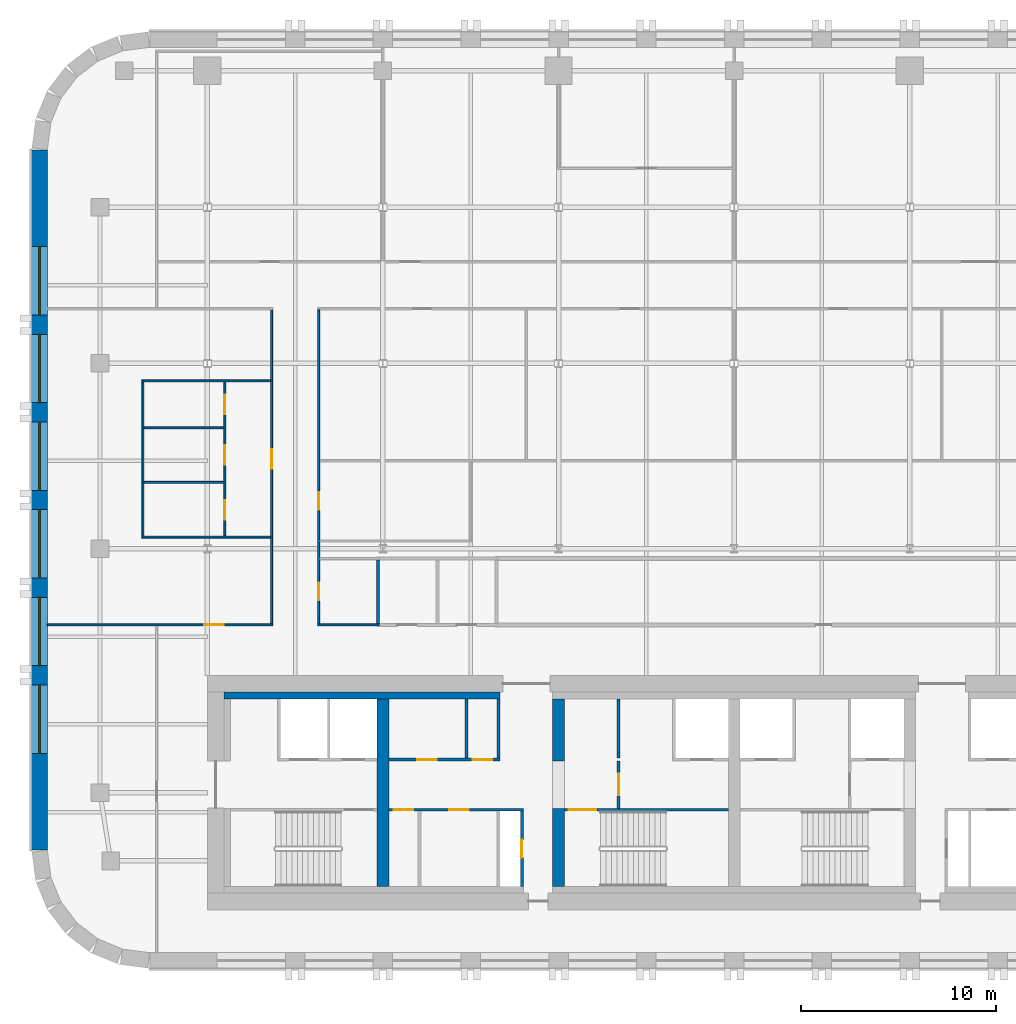
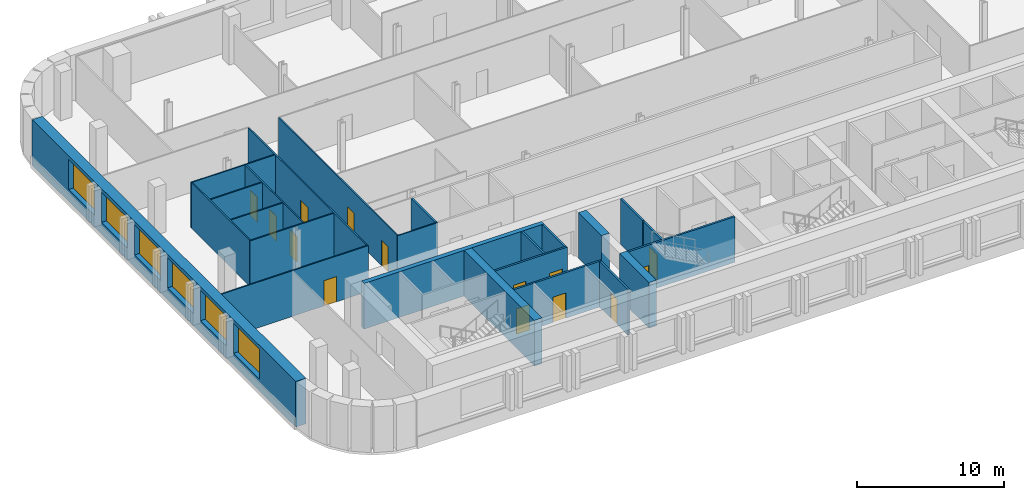
# One storey, part 3 of 9: 24 walls, 14 doors, 6 windows, 20 openings.
"""IFC4 building model written with IfcOpenShell, lengths in metres."""

from ifc_helpers import new_model, si_unit, direction, frame, frame_2d, origin, place, context, subcontext, project, spatial, rectangle, extrude, material, layer, layer_set, type_object, element, fill, save


model = new_model("IFC4")

# Units and contexts
model_context = context("Model", 3, precision=1e-05, world=origin(), true_north=direction((0.0, 1.0)))
body_context = subcontext(model_context, "Body", "Model", "MODEL_VIEW")
ifc_project = project(units=[si_unit("LENGTHUNIT", "METRE"), si_unit("AREAUNIT", "SQUARE_METRE"), si_unit("VOLUMEUNIT", "CUBIC_METRE"), si_unit("PLANEANGLEUNIT", "RADIAN"), si_unit("MASSUNIT", "GRAM", prefix="KILO")], contexts=[model_context])

# Site, building, storey
site_placement = place(None, origin())
site = spatial("IfcSite", under=ifc_project, at=site_placement, CompositionType="ELEMENT")
building_placement = place(site_placement, origin())
building = spatial("IfcBuilding", under=site, at=building_placement, Name="Zellij Exchange Tower", CompositionType="ELEMENT")
storey_placement = place(building_placement, frame((0.0, 0.0, 184.5)))
storey = spatial("IfcBuildingStorey", under=building, at=storey_placement, Name="L42", CompositionType="ELEMENT", Elevation=184.5)

# Walls
ifc_material_1 = material(Name="Concrete C60/75", Category="concrete")
ifc_layer_1 = layer(ifc_material_1, 0.60009765625)
ifc_layer_set_1 = layer_set([ifc_layer_1], Name="Concrete C60/75")
wall_type_1 = type_object("IfcWallType", Name="CORE-CW 600 C60/75", PredefinedType="SHEAR", material=ifc_layer_set_1)
wall_1_placement = place(storey_placement, frame((-18.0, -12.800048828125, 0.0), z_axis=(0.0, 0.0, 1.0), x_axis=(0.0, 1.0, 0.0)))
element("IfcWall", 1, at=wall_1_placement, inside=storey, type_object=wall_type_1, Name="Core cross wall x -18 L42", PredefinedType="SHEAR", context=body_context, shape_type="SweptSolid", body=[
    extrude(rectangle(XDim=9.60009765625, YDim=0.60009765625, at=frame_2d((4.800048828125, 0.0))), origin(), (0.0, 0.0, 1.0), 3.800048828125),
])
wall_2_placement = place(storey_placement, frame((-9.0, -12.800048828125, 0.0), z_axis=(0.0, 0.0, 1.0), x_axis=(0.0, 1.0, 0.0)))
element("IfcWall", 2, at=wall_2_placement, inside=storey, type_object=wall_type_1, Name="Core cross wall pier x -9 a L42", PredefinedType="SHEAR", context=body_context, shape_type="SweptSolid", body=[
    extrude(rectangle(XDim=4.0, YDim=0.60009765625, at=frame_2d((2.0, 0.0))), origin(), (0.0, 0.0, 1.0), 3.800048828125),
])
wall_3_placement = place(storey_placement, frame((-9.0, -6.375, 0.0), z_axis=(0.0, 0.0, 1.0), x_axis=(0.0, 1.0, 0.0)))
element("IfcWall", 3, at=wall_3_placement, inside=storey, type_object=wall_type_1, Name="Core cross wall pier x -9 b L42", PredefinedType="SHEAR", context=body_context, shape_type="SweptSolid", body=[
    extrude(rectangle(XDim=3.175048828125, YDim=0.60009765625, at=frame_2d((1.58740234375, 0.0))), origin(), (0.0, 0.0, 1.0), 3.800048828125),
])
ifc_material_2 = material(Name="Concrete C30/37", Category="concrete")
ifc_layer_2 = layer(ifc_material_2, 0.35009765625)
ifc_layer_set_2 = layer_set([ifc_layer_2], Name="Concrete C30/37")
wall_type_2 = type_object("IfcWallType", Name="CORE-LW 350 C30/37", PredefinedType="SHEAR", material=ifc_layer_set_2)
wall_4_placement = place(storey_placement, frame((-26.14990234375, -3.02490234375, 0.0), z_axis=(0.0, 0.0, 1.0), x_axis=(1.0, 0.0, 0.0)))
element("IfcWall", 4, at=wall_4_placement, inside=storey, type_object=wall_type_2, Name="Core wall lining front.0 L42", PredefinedType="SHEAR", context=body_context, shape_type="SweptSolid", body=[
    extrude(rectangle(XDim=14.14990234375, YDim=0.35009765625, at=frame_2d((7.074951171875, 0.0))), origin(), (0.0, 0.0, 1.0), 3.800048828125),
])

# Wall, opening, door
ifc_material_3 = material(Name="Gypsum shaft wall system")
ifc_layer_3 = layer(ifc_material_3, 0.14990234375)
ifc_layer_set_3 = layer_set([ifc_layer_3], Name="Gypsum shaft wall system")
wall_type_3 = type_object("IfcWallType", Name="CORE-PW 150 Firefighting lobby wall", PredefinedType="PARTITIONING", material=ifc_layer_set_3)
wall_5_placement = place(storey_placement, frame((-5.925048828125, -8.800048828125, 0.0), z_axis=(0.0, 0.0, 1.0), x_axis=(0.0, 1.0, 0.0)))
wall_5 = element("IfcWall", 5, at=wall_5_placement, inside=storey, type_object=wall_type_3, Name="Firefighting lobby wall L42", PredefinedType="PARTITIONING", context=body_context, shape_type="SweptSolid", body=[
    extrude(rectangle(XDim=2.425048828125, YDim=0.14990234375, at=frame_2d((1.21240234375, 0.0))), origin(), (0.0, 0.0, 1.0), 3.800048828125),
])
opening_1_placement = place(wall_5_placement, frame((0.662109375, 0.0, 0.0)))
opening_1 = element("IfcOpeningElement", 6, at=opening_1_placement, cuts=wall_5, Name="Opening CA-23.13", PredefinedType="OPENING", context=body_context, shape_type="SweptSolid", body=[
    extrude(rectangle(XDim=1.10009765625, YDim=2.10009765625, at=frame_2d((0.550048828125, 1.050048828125))), frame((0.0, 0.0869140625, 0.0), z_axis=(0.0, -1.0, 0.0), x_axis=(1.0, 0.0, 0.0)), (0.0, 0.0, 1.0), 0.173828125),
])
ifc_material_4 = material(Name="Hollow metal fire door")
door_type_1 = type_object("IfcDoorType", Name="CORE-D F Firefighting lobby door 1100x2100 1 HR", OperationType="NOTDEFINED", PredefinedType="DOOR", material=ifc_material_4)
door_1_placement = place(opening_1_placement, origin())
door_1 = element("IfcDoor", 7, at=door_1_placement, inside=storey, type_object=door_type_1, Name="Firefighting lobby door CA-23.13", OperationType="SINGLE_SWING_LEFT", OverallHeight=2.10009765625, OverallWidth=1.10009765625, PredefinedType="DOOR", context=body_context, shape_type="SweptSolid", body=[
    extrude(rectangle(XDim=1.10009765625, YDim=2.10009765625, at=frame_2d((0.550048828125, 1.050048828125))), frame((0.0, 0.02490234375, 0.0), z_axis=(0.0, -1.0, 0.0), x_axis=(1.0, 0.0, 0.0)), (0.0, 0.0, 1.0), 0.050048828125),
])
fill(opening_1, door_1)

# Walls
ifc_material_5 = material(Name="Gypsum board partition")
ifc_layer_4 = layer(ifc_material_5, 0.14990234375)
ifc_layer_set_4 = layer_set([ifc_layer_4], Name="Gypsum board partition")
wall_type_4 = type_object("IfcWallType", Name="CORE-PW 150 Lift lobby wall", PredefinedType="PARTITIONING", material=ifc_layer_set_4)
for number, where, z_axis, x_axis, name in (
    (8, (-12.074951171875, -6.22509765625, 0.0), (0.0, 0.0, 1.0), (0.0, 1.0, 0.0), "Lift lobby wall L42"),
    (9, (-13.72509765625, -6.22509765625, 0.0), (0.0, 0.0, 1.0), (0.0, 1.0, 0.0), "Lift lobby wall L42"),
    (10, (-5.925048828125, -6.22509765625, 0.0), (0.0, 0.0, 1.0), (0.0, 1.0, 0.0), "Lift lobby wall L42"),
):
    element("IfcWall", number, at=place(storey_placement, frame(where, z_axis=z_axis, x_axis=x_axis)), inside=storey, type_object=wall_type_4, Name=name, PredefinedType="PARTITIONING", context=body_context, shape_type="SweptSolid", body=[
        extrude(rectangle(XDim=3.025146484375, YDim=0.14990234375, at=frame_2d((1.5126953125, 0.0))), origin(), (0.0, 0.0, 1.0), 3.800048828125),
    ])

# Wall, opening, door
wall_6_placement = place(storey_placement, frame((-10.875, -12.800048828125, 0.0), z_axis=(0.0, 0.0, 1.0), x_axis=(0.0, 1.0, 0.0)))
wall_6 = element("IfcWall", 11, at=wall_6_placement, inside=storey, type_object=wall_type_4, Name="Lift lobby wall L42", PredefinedType="PARTITIONING", context=body_context, shape_type="SweptSolid", body=[
    extrude(rectangle(XDim=3.85009765625, YDim=0.14990234375, at=frame_2d((1.925048828125, 0.0))), origin(), (0.0, 0.0, 1.0), 3.800048828125),
])
opening_2_placement = place(wall_6_placement, frame((1.47509765625, 0.0, 0.0)))
opening_2 = element("IfcOpeningElement", 12, at=opening_2_placement, cuts=wall_6, Name="Opening CA-23.09", PredefinedType="OPENING", context=body_context, shape_type="SweptSolid", body=[
    extrude(rectangle(XDim=0.89990234375, YDim=2.10009765625, at=frame_2d((0.449951171875, 1.050048828125))), frame((0.0, 0.0869140625, 0.0), z_axis=(0.0, -1.0, 0.0), x_axis=(1.0, 0.0, 0.0)), (0.0, 0.0, 1.0), 0.173828125),
])
door_type_2 = type_object("IfcDoorType", Name="CORE-D RD Riser door 900x2100 1.5 HR", OperationType="NOTDEFINED", PredefinedType="DOOR", material=ifc_material_4)
door_2_placement = place(opening_2_placement, origin())
door_2 = element("IfcDoor", 13, at=door_2_placement, inside=storey, type_object=door_type_2, Name="Riser door CA-23.09", OperationType="SINGLE_SWING_RIGHT", OverallHeight=2.10009765625, OverallWidth=0.89990234375, PredefinedType="DOOR", context=body_context, shape_type="SweptSolid", body=[
    extrude(rectangle(XDim=0.89990234375, YDim=2.10009765625, at=frame_2d((0.449951171875, 1.050048828125))), frame((0.0, 0.02490234375, 0.0), z_axis=(0.0, -1.0, 0.0), x_axis=(1.0, 0.0, 0.0)), (0.0, 0.0, 1.0), 0.050048828125),
])
fill(opening_2, door_2)

# Wall, openings, doors
wall_7_placement = place(storey_placement, frame((-17.699951171875, -6.300048828125, 0.0), z_axis=(0.0, 0.0, 1.0), x_axis=(1.0, 0.0, 0.0)))
wall_7 = element("IfcWall", 14, at=wall_7_placement, inside=storey, type_object=wall_type_4, Name="Lift lobby wall L42", PredefinedType="PARTITIONING", context=body_context, shape_type="SweptSolid", body=[
    extrude(rectangle(XDim=5.699951171875, YDim=0.14990234375, at=frame_2d((2.85009765625, 0.0))), origin(), (0.0, 0.0, 1.0), 3.800048828125),
])
opening_3_placement = place(wall_7_placement, frame((1.449951171875, 0.0, 0.0)))
opening_3 = element("IfcOpeningElement", 15, at=opening_3_placement, cuts=wall_7, Name="Opening CA-23.06", PredefinedType="OPENING", context=body_context, shape_type="SweptSolid", body=[
    extrude(rectangle(XDim=1.0, YDim=2.10009765625, at=frame_2d((0.5, 1.050048828125))), frame((0.0, 0.0869140625, 0.0), z_axis=(0.0, -1.0, 0.0), x_axis=(1.0, 0.0, 0.0)), (0.0, 0.0, 1.0), 0.173828125),
])
opening_4_placement = place(wall_7_placement, frame((4.300048828125, 0.0, 0.0)))
opening_4 = element("IfcOpeningElement", 16, at=opening_4_placement, cuts=wall_7, Name="Opening CA-23.08", PredefinedType="OPENING", context=body_context, shape_type="SweptSolid", body=[
    extrude(rectangle(XDim=1.0, YDim=2.10009765625, at=frame_2d((0.5, 1.050048828125))), frame((0.0, 0.0869140625, 0.0), z_axis=(0.0, -1.0, 0.0), x_axis=(1.0, 0.0, 0.0)), (0.0, 0.0, 1.0), 0.173828125),
])
door_type_3 = type_object("IfcDoorType", Name="CORE-D CD Core room door 1000x2100 1 HR", OperationType="NOTDEFINED", PredefinedType="DOOR", material=ifc_material_4)
door_3_placement = place(opening_3_placement, origin())
door_3 = element("IfcDoor", 17, at=door_3_placement, inside=storey, type_object=door_type_3, Name="Core room door CA-23.06", OperationType="SINGLE_SWING_LEFT", OverallHeight=2.10009765625, OverallWidth=1.0, PredefinedType="DOOR", context=body_context, shape_type="SweptSolid", body=[
    extrude(rectangle(XDim=1.0, YDim=2.10009765625, at=frame_2d((0.5, 1.050048828125))), frame((0.0, 0.02490234375, 0.0), z_axis=(0.0, -1.0, 0.0), x_axis=(1.0, 0.0, 0.0)), (0.0, 0.0, 1.0), 0.050048828125),
])
fill(opening_3, door_3)
door_4_placement = place(opening_4_placement, origin())
door_4 = element("IfcDoor", 18, at=door_4_placement, inside=storey, type_object=door_type_3, Name="Core room door CA-23.08", OperationType="SINGLE_SWING_RIGHT", OverallHeight=2.10009765625, OverallWidth=1.0, PredefinedType="DOOR", context=body_context, shape_type="SweptSolid", body=[
    extrude(rectangle(XDim=1.0, YDim=2.10009765625, at=frame_2d((0.5, 1.050048828125))), frame((0.0, 0.02490234375, 0.0), z_axis=(0.0, -1.0, 0.0), x_axis=(1.0, 0.0, 0.0)), (0.0, 0.0, 1.0), 0.050048828125),
])
fill(opening_4, door_4)

wall_8_placement = place(storey_placement, frame((-17.699951171875, -8.875, 0.0), z_axis=(0.0, 0.0, 1.0), x_axis=(1.0, 0.0, 0.0)))
wall_8 = element("IfcWall", 19, at=wall_8_placement, inside=storey, type_object=wall_type_4, Name="Lift lobby wall L42", PredefinedType="PARTITIONING", context=body_context, shape_type="SweptSolid", body=[
    extrude(rectangle(XDim=6.89990234375, YDim=0.14990234375, at=frame_2d((3.449951171875, 0.0))), origin(), (0.0, 0.0, 1.0), 3.800048828125),
])
opening_5_placement = place(wall_8_placement, frame((0.25, 0.0, 0.0)))
opening_5 = element("IfcOpeningElement", 20, at=opening_5_placement, cuts=wall_8, Name="Opening CA-23.05", PredefinedType="OPENING", context=body_context, shape_type="SweptSolid", body=[
    extrude(rectangle(XDim=1.0, YDim=2.10009765625, at=frame_2d((0.5, 1.050048828125))), frame((0.0, 0.0869140625, 0.0), z_axis=(0.0, -1.0, 0.0), x_axis=(1.0, 0.0, 0.0)), (0.0, 0.0, 1.0), 0.173828125),
])
opening_6_placement = place(wall_8_placement, frame((3.10009765625, 0.0, 0.0)))
opening_6 = element("IfcOpeningElement", 21, at=opening_6_placement, cuts=wall_8, Name="Opening CA-23.07", PredefinedType="OPENING", context=body_context, shape_type="SweptSolid", body=[
    extrude(rectangle(XDim=1.0, YDim=2.10009765625, at=frame_2d((0.5, 1.050048828125))), frame((0.0, 0.0869140625, 0.0), z_axis=(0.0, -1.0, 0.0), x_axis=(1.0, 0.0, 0.0)), (0.0, 0.0, 1.0), 0.173828125),
])
door_5_placement = place(opening_5_placement, origin())
door_5 = element("IfcDoor", 22, at=door_5_placement, inside=storey, type_object=door_type_3, Name="Core room door CA-23.05", OperationType="SINGLE_SWING_RIGHT", OverallHeight=2.10009765625, OverallWidth=1.0, PredefinedType="DOOR", context=body_context, shape_type="SweptSolid", body=[
    extrude(rectangle(XDim=1.0, YDim=2.10009765625, at=frame_2d((0.5, 1.050048828125))), frame((0.0, 0.02490234375, 0.0), z_axis=(0.0, -1.0, 0.0), x_axis=(1.0, 0.0, 0.0)), (0.0, 0.0, 1.0), 0.050048828125),
])
fill(opening_5, door_5)
door_6_placement = place(opening_6_placement, origin())
door_6 = element("IfcDoor", 23, at=door_6_placement, inside=storey, type_object=door_type_3, Name="Core room door CA-23.07", OperationType="SINGLE_SWING_LEFT", OverallHeight=2.10009765625, OverallWidth=1.0, PredefinedType="DOOR", context=body_context, shape_type="SweptSolid", body=[
    extrude(rectangle(XDim=1.0, YDim=2.10009765625, at=frame_2d((0.5, 1.050048828125))), frame((0.0, 0.02490234375, 0.0), z_axis=(0.0, -1.0, 0.0), x_axis=(1.0, 0.0, 0.0)), (0.0, 0.0, 1.0), 0.050048828125),
])
fill(opening_6, door_6)

# Wall, opening, door
ifc_layer_5 = layer(ifc_material_1, 0.14990234375)
ifc_layer_set_5 = layer_set([ifc_layer_5], Name="Concrete C60/75")
wall_type_5 = type_object("IfcWallType", Name="CORE-SWS 150 C60/75", PredefinedType="SHEAR", material=ifc_layer_set_5)
wall_9_placement = place(storey_placement, frame((-8.699951171875, -8.875, 0.0), z_axis=(0.0, 0.0, 1.0), x_axis=(1.0, 0.0, 0.0)))
wall_9 = element("IfcWall", 24, at=wall_9_placement, inside=storey, type_object=wall_type_5, Name="Stair enclosure wall L42", PredefinedType="SHEAR", context=body_context, shape_type="SweptSolid", body=[
    extrude(rectangle(XDim=8.39990234375, YDim=0.14990234375, at=frame_2d((4.199951171875, 0.0))), origin(), (0.0, 0.0, 1.0), 3.800048828125),
])
opening_7_placement = place(wall_9_placement, frame((0.22509765625, 0.0, 0.0)))
opening_7 = element("IfcOpeningElement", 25, at=opening_7_placement, cuts=wall_9, Name="Opening CA-23.12", PredefinedType="OPENING", context=body_context, shape_type="SweptSolid", body=[
    extrude(rectangle(XDim=1.39990234375, YDim=2.10009765625, at=frame_2d((0.699951171875, 1.050048828125))), frame((0.0, 0.0869140625, 0.0), z_axis=(0.0, -1.0, 0.0), x_axis=(1.0, 0.0, 0.0)), (0.0, 0.0, 1.0), 0.173828125),
])
door_type_4 = type_object("IfcDoorType", Name="CORE-D SD Stair door 1400x2100 1.5 HR", OperationType="NOTDEFINED", PredefinedType="DOOR", material=ifc_material_4)
door_7_placement = place(opening_7_placement, origin())
door_7 = element("IfcDoor", 26, at=door_7_placement, inside=storey, type_object=door_type_4, Name="Stair door CA-23.12", OperationType="DOUBLE_DOOR_SINGLE_SWING", OverallHeight=2.10009765625, OverallWidth=1.39990234375, PredefinedType="DOOR", context=body_context, shape_type="SweptSolid", body=[
    extrude(rectangle(XDim=1.39990234375, YDim=2.10009765625, at=frame_2d((0.699951171875, 1.050048828125))), frame((0.0, 0.02490234375, 0.0), z_axis=(0.0, -1.0, 0.0), x_axis=(1.0, 0.0, 0.0)), (0.0, 0.0, 1.0), 0.050048828125),
])
fill(opening_7, door_7)

# Wall, openings, windows
ifc_material_6 = material(Name="Precast concrete C40/50", Category="concrete")
ifc_layer_6 = layer(ifc_material_6, 0.800048828125)
ifc_layer_set_6 = layer_set([ifc_layer_6], Name="Precast concrete C40/50")
wall_type_6 = type_object("IfcWallType", Name="ENV-EW1 Precast stone-piered wall 800", PredefinedType="SOLIDWALL", material=ifc_layer_set_6)
wall_10_placement = place(storey_placement, frame((-35.60009765625, 24.947509765625, 0.0), z_axis=(0.0, 0.0, 1.0), x_axis=(0.0, -1.0, 0.0)))
wall_10 = element("IfcWall", 27, at=wall_10_placement, inside=storey, type_object=wall_type_6, Name="fac.L42.21", PredefinedType="SOLIDWALL", context=body_context, shape_type="SweptSolid", body=[
    extrude(rectangle(XDim=35.89501953125, YDim=0.800048828125, at=frame_2d((17.947509765625, 0.0))), origin(), (0.0, 0.0, 1.0), 3.800048828125),
])
opening_8_placement = place(wall_10_placement, frame((4.9638671875, 0.0, 1.0)))
opening_8 = element("IfcOpeningElement", 28, at=opening_8_placement, cuts=wall_10, Name="Opening FZ3.31", PredefinedType="OPENING", context=body_context, shape_type="SweptSolid", body=[
    extrude(rectangle(XDim=3.5, YDim=2.5, at=frame_2d((1.75, 1.25))), frame((0.0, 0.412109375, 0.0), z_axis=(0.0, -1.0, 0.0), x_axis=(1.0, 0.0, 0.0)), (0.0, 0.0, 1.0), 0.823974609375),
])
opening_9_placement = place(wall_10_placement, frame((9.45751953125, 0.0, 1.0)))
opening_9 = element("IfcOpeningElement", 29, at=opening_9_placement, cuts=wall_10, Name="Opening FZ3.32", PredefinedType="OPENING", context=body_context, shape_type="SweptSolid", body=[
    extrude(rectangle(XDim=3.5, YDim=2.5, at=frame_2d((1.75, 1.25))), frame((0.0, 0.412109375, 0.0), z_axis=(0.0, -1.0, 0.0), x_axis=(1.0, 0.0, 0.0)), (0.0, 0.0, 1.0), 0.823974609375),
])
opening_10_placement = place(wall_10_placement, frame((13.950927734375, 0.0, 1.0)))
opening_10 = element("IfcOpeningElement", 30, at=opening_10_placement, cuts=wall_10, Name="Opening FZ3.33", PredefinedType="OPENING", context=body_context, shape_type="SweptSolid", body=[
    extrude(rectangle(XDim=3.5, YDim=2.5, at=frame_2d((1.75, 1.25))), frame((0.0, 0.412109375, 0.0), z_axis=(0.0, -1.0, 0.0), x_axis=(1.0, 0.0, 0.0)), (0.0, 0.0, 1.0), 0.823974609375),
])
opening_11_placement = place(wall_10_placement, frame((18.4443359375, 0.0, 1.0)))
opening_11 = element("IfcOpeningElement", 31, at=opening_11_placement, cuts=wall_10, Name="Opening FZ3.34", PredefinedType="OPENING", context=body_context, shape_type="SweptSolid", body=[
    extrude(rectangle(XDim=3.5, YDim=2.5, at=frame_2d((1.75, 1.25))), frame((0.0, 0.412109375, 0.0), z_axis=(0.0, -1.0, 0.0), x_axis=(1.0, 0.0, 0.0)), (0.0, 0.0, 1.0), 0.823974609375),
])
opening_12_placement = place(wall_10_placement, frame((22.937744140625, 0.0, 1.0)))
opening_12 = element("IfcOpeningElement", 32, at=opening_12_placement, cuts=wall_10, Name="Opening FZ3.35", PredefinedType="OPENING", context=body_context, shape_type="SweptSolid", body=[
    extrude(rectangle(XDim=3.5, YDim=2.5, at=frame_2d((1.75, 1.25))), frame((0.0, 0.412109375, 0.0), z_axis=(0.0, -1.0, 0.0), x_axis=(1.0, 0.0, 0.0)), (0.0, 0.0, 1.0), 0.823974609375),
])
opening_13_placement = place(wall_10_placement, frame((27.43115234375, 0.0, 1.0)))
opening_13 = element("IfcOpeningElement", 33, at=opening_13_placement, cuts=wall_10, Name="Opening FZ3.36", PredefinedType="OPENING", context=body_context, shape_type="SweptSolid", body=[
    extrude(rectangle(XDim=3.5, YDim=2.5, at=frame_2d((1.75, 1.25))), frame((0.0, 0.412109375, 0.0), z_axis=(0.0, -1.0, 0.0), x_axis=(1.0, 0.0, 0.0)), (0.0, 0.0, 1.0), 0.823974609375),
])
ifc_material_7 = material(Name="Aluminium frame with insulating glass", Category="aluminium")
window_type = type_object("IfcWindowType", Name="ENV-W1 Window 3500x2500", PartitioningType="SINGLE_PANEL", PredefinedType="WINDOW", material=ifc_material_7)
window_1_placement = place(opening_8_placement, origin())
window_1 = element("IfcWindow", 34, at=window_1_placement, inside=storey, type_object=window_type, Name="Window FZ3.31", OverallHeight=2.5, OverallWidth=3.5, PartitioningType="SINGLE_PANEL", PredefinedType="WINDOW", context=body_context, shape_type="SweptSolid", body=[
    extrude(rectangle(XDim=3.5, YDim=2.5, at=frame_2d((1.75, 1.25))), frame((0.0, 0.030029296875, 0.0), z_axis=(0.0, -1.0, 0.0), x_axis=(1.0, 0.0, 0.0)), (0.0, 0.0, 1.0), 0.06005859375),
])
fill(opening_8, window_1)
window_2_placement = place(opening_9_placement, origin())
window_2 = element("IfcWindow", 35, at=window_2_placement, inside=storey, type_object=window_type, Name="Window FZ3.32", OverallHeight=2.5, OverallWidth=3.5, PartitioningType="SINGLE_PANEL", PredefinedType="WINDOW", context=body_context, shape_type="SweptSolid", body=[
    extrude(rectangle(XDim=3.5, YDim=2.5, at=frame_2d((1.75, 1.25))), frame((0.0, 0.030029296875, 0.0), z_axis=(0.0, -1.0, 0.0), x_axis=(1.0, 0.0, 0.0)), (0.0, 0.0, 1.0), 0.06005859375),
])
fill(opening_9, window_2)
window_3_placement = place(opening_10_placement, origin())
window_3 = element("IfcWindow", 36, at=window_3_placement, inside=storey, type_object=window_type, Name="Window FZ3.33", OverallHeight=2.5, OverallWidth=3.5, PartitioningType="SINGLE_PANEL", PredefinedType="WINDOW", context=body_context, shape_type="SweptSolid", body=[
    extrude(rectangle(XDim=3.5, YDim=2.5, at=frame_2d((1.75, 1.25))), frame((0.0, 0.030029296875, 0.0), z_axis=(0.0, -1.0, 0.0), x_axis=(1.0, 0.0, 0.0)), (0.0, 0.0, 1.0), 0.06005859375),
])
fill(opening_10, window_3)
window_4_placement = place(opening_11_placement, origin())
window_4 = element("IfcWindow", 37, at=window_4_placement, inside=storey, type_object=window_type, Name="Window FZ3.34", OverallHeight=2.5, OverallWidth=3.5, PartitioningType="SINGLE_PANEL", PredefinedType="WINDOW", context=body_context, shape_type="SweptSolid", body=[
    extrude(rectangle(XDim=3.5, YDim=2.5, at=frame_2d((1.75, 1.25))), frame((0.0, 0.030029296875, 0.0), z_axis=(0.0, -1.0, 0.0), x_axis=(1.0, 0.0, 0.0)), (0.0, 0.0, 1.0), 0.06005859375),
])
fill(opening_11, window_4)
window_5_placement = place(opening_12_placement, origin())
window_5 = element("IfcWindow", 38, at=window_5_placement, inside=storey, type_object=window_type, Name="Window FZ3.35", OverallHeight=2.5, OverallWidth=3.5, PartitioningType="SINGLE_PANEL", PredefinedType="WINDOW", context=body_context, shape_type="SweptSolid", body=[
    extrude(rectangle(XDim=3.5, YDim=2.5, at=frame_2d((1.75, 1.25))), frame((0.0, 0.030029296875, 0.0), z_axis=(0.0, -1.0, 0.0), x_axis=(1.0, 0.0, 0.0)), (0.0, 0.0, 1.0), 0.06005859375),
])
fill(opening_12, window_5)
window_6_placement = place(opening_13_placement, origin())
window_6 = element("IfcWindow", 39, at=window_6_placement, inside=storey, type_object=window_type, Name="Window FZ3.36", OverallHeight=2.5, OverallWidth=3.5, PartitioningType="SINGLE_PANEL", PredefinedType="WINDOW", context=body_context, shape_type="SweptSolid", body=[
    extrude(rectangle(XDim=3.5, YDim=2.5, at=frame_2d((1.75, 1.25))), frame((0.0, 0.030029296875, 0.0), z_axis=(0.0, -1.0, 0.0), x_axis=(1.0, 0.0, 0.0)), (0.0, 0.0, 1.0), 0.06005859375),
])
fill(opening_13, window_6)

# Wall, opening, door
ifc_material_8 = material(Name="Gypsum board partition on steel studs", Category="steel")
ifc_layer_7 = layer(ifc_material_8, 0.10009765625)
ifc_layer_set_7 = layer_set([ifc_layer_7], Name="Gypsum board partition on steel studs")
wall_type_7 = type_object("IfcWallType", Name="FIT-PARTITION-100", PredefinedType="PARTITIONING", material=ifc_layer_set_7)
wall_11_placement = place(storey_placement, frame((-35.199951171875, 0.60009765625, 0.0), z_axis=(0.0, 0.0, 1.0), x_axis=(1.0, 0.0, 0.0)))
wall_11 = element("IfcWall", 40, at=wall_11_placement, inside=storey, type_object=wall_type_7, Name="FIT-PARTITION-100 003", PredefinedType="PARTITIONING", context=body_context, shape_type="SweptSolid", body=[
    extrude(rectangle(XDim=11.550048828125, YDim=0.10009765625, at=frame_2d((5.77490234375, 0.0))), origin(), (0.0, 0.0, 1.0), 3.800048828125),
])
opening_14_placement = place(wall_11_placement, frame((8.050048828125, 0.0, 0.0)))
opening_14 = element("IfcOpeningElement", 41, at=opening_14_placement, cuts=wall_11, Name="Opening O3B.03", PredefinedType="OPENING", context=body_context, shape_type="SweptSolid", body=[
    extrude(rectangle(XDim=1.0, YDim=2.10009765625, at=frame_2d((0.5, 1.050048828125))), frame((0.0, 0.06201171875, 0.0), z_axis=(0.0, -1.0, 0.0), x_axis=(1.0, 0.0, 0.0)), (0.0, 0.0, 1.0), 0.1240234375),
])
ifc_material_9 = material(Name="Timber door set", Category="wood")
door_type_5 = type_object("IfcDoorType", Name="FIT-D2-WIDE-1000X2100", OperationType="SINGLE_SWING_LEFT", PredefinedType="DOOR", material=ifc_material_9)
door_8_placement = place(opening_14_placement, origin())
door_8 = element("IfcDoor", 42, at=door_8_placement, inside=storey, type_object=door_type_5, Name="Door O3B.03", OperationType="SINGLE_SWING_LEFT", OverallHeight=2.10009765625, OverallWidth=1.0, PredefinedType="DOOR", context=body_context, shape_type="SweptSolid", body=[
    extrude(rectangle(XDim=1.0, YDim=2.10009765625, at=frame_2d((0.5, 1.050048828125))), frame((0.0, 0.02490234375, 0.0), z_axis=(0.0, -1.0, 0.0), x_axis=(1.0, 0.0, 0.0)), (0.0, 0.0, 1.0), 0.050048828125),
])
fill(opening_14, door_8)

wall_12_placement = place(storey_placement, frame((-23.699951171875, 0.64990234375, 0.0), z_axis=(0.0, 0.0, 1.0), x_axis=(0.0, 1.0, 0.0)))
wall_12 = element("IfcWall", 43, at=wall_12_placement, inside=storey, type_object=wall_type_7, Name="FIT-PARTITION-100 004", PredefinedType="PARTITIONING", context=body_context, shape_type="SweptSolid", body=[
    extrude(rectangle(XDim=16.10009765625, YDim=0.10009765625, at=frame_2d((8.050048828125, 0.0))), origin(), (0.0, 0.0, 1.0), 3.800048828125),
])
opening_15_placement = place(wall_12_placement, frame((7.949951171875, 0.0, 0.0)))
opening_15 = element("IfcOpeningElement", 44, at=opening_15_placement, cuts=wall_12, Name="Opening O3B.12", PredefinedType="OPENING", context=body_context, shape_type="SweptSolid", body=[
    extrude(rectangle(XDim=1.0, YDim=2.10009765625, at=frame_2d((0.5, 1.050048828125))), frame((0.0, 0.06201171875, 0.0), z_axis=(0.0, -1.0, 0.0), x_axis=(1.0, 0.0, 0.0)), (0.0, 0.0, 1.0), 0.1240234375),
])
door_9_placement = place(opening_15_placement, origin())
door_9 = element("IfcDoor", 45, at=door_9_placement, inside=storey, type_object=door_type_5, Name="Door O3B.12", OperationType="SINGLE_SWING_RIGHT", OverallHeight=2.10009765625, OverallWidth=1.0, PredefinedType="DOOR", context=body_context, shape_type="SweptSolid", body=[
    extrude(rectangle(XDim=1.0, YDim=2.10009765625, at=frame_2d((0.5, 1.050048828125))), frame((0.0, 0.02490234375, 0.0), z_axis=(0.0, -1.0, 0.0), x_axis=(1.0, 0.0, 0.0)), (0.0, 0.0, 1.0), 0.050048828125),
])
fill(opening_15, door_9)

# Wall
wall_13_placement = place(storey_placement, frame((-21.35009765625, 0.60009765625, 0.0), z_axis=(0.0, 0.0, 1.0), x_axis=(1.0, 0.0, 0.0)))
element("IfcWall", 46, at=wall_13_placement, inside=storey, type_object=wall_type_7, Name="FIT-PARTITION-100 005", PredefinedType="PARTITIONING", context=body_context, shape_type="SweptSolid", body=[
    extrude(rectangle(XDim=3.1650390625, YDim=0.10009765625, at=frame_2d((1.58251953125, 0.0))), origin(), (0.0, 0.0, 1.0), 3.800048828125),
])

# Wall, openings, doors
wall_14_placement = place(storey_placement, frame((-21.300048828125, 0.64990234375, 0.0), z_axis=(0.0, 0.0, 1.0), x_axis=(0.0, 1.0, 0.0)))
wall_14 = element("IfcWall", 47, at=wall_14_placement, inside=storey, type_object=wall_type_7, Name="FIT-PARTITION-100 006", PredefinedType="PARTITIONING", context=body_context, shape_type="SweptSolid", body=[
    extrude(rectangle(XDim=16.10009765625, YDim=0.10009765625, at=frame_2d((8.050048828125, 0.0))), origin(), (0.0, 0.0, 1.0), 3.800048828125),
])
opening_16_placement = place(wall_14_placement, frame((1.199951171875, 0.0, 0.0)))
opening_16 = element("IfcOpeningElement", 48, at=opening_16_placement, cuts=wall_14, Name="Opening O3B.07", PredefinedType="OPENING", context=body_context, shape_type="SweptSolid", body=[
    extrude(rectangle(XDim=0.89990234375, YDim=2.10009765625, at=frame_2d((0.449951171875, 1.050048828125))), frame((0.0, 0.06201171875, 0.0), z_axis=(0.0, -1.0, 0.0), x_axis=(1.0, 0.0, 0.0)), (0.0, 0.0, 1.0), 0.1240234375),
])
opening_17_placement = place(wall_14_placement, frame((5.85009765625, 0.0, 0.0)))
opening_17 = element("IfcOpeningElement", 49, at=opening_17_placement, cuts=wall_14, Name="Opening O3B.11", PredefinedType="OPENING", context=body_context, shape_type="SweptSolid", body=[
    extrude(rectangle(XDim=0.89990234375, YDim=2.10009765625, at=frame_2d((0.449951171875, 1.050048828125))), frame((0.0, 0.06201171875, 0.0), z_axis=(0.0, -1.0, 0.0), x_axis=(1.0, 0.0, 0.0)), (0.0, 0.0, 1.0), 0.1240234375),
])
door_type_6 = type_object("IfcDoorType", Name="FIT-D1-ROOM-900X2100", OperationType="SINGLE_SWING_LEFT", PredefinedType="DOOR", material=ifc_material_9)
door_10_placement = place(opening_16_placement, origin())
door_10 = element("IfcDoor", 50, at=door_10_placement, inside=storey, type_object=door_type_6, Name="Door O3B.07", OperationType="SINGLE_SWING_LEFT", OverallHeight=2.10009765625, OverallWidth=0.89990234375, PredefinedType="DOOR", context=body_context, shape_type="SweptSolid", body=[
    extrude(rectangle(XDim=0.89990234375, YDim=2.10009765625, at=frame_2d((0.449951171875, 1.050048828125))), frame((0.0, 0.02490234375, 0.0), z_axis=(0.0, -1.0, 0.0), x_axis=(1.0, 0.0, 0.0)), (0.0, 0.0, 1.0), 0.050048828125),
])
fill(opening_16, door_10)
door_11_placement = place(opening_17_placement, origin())
door_11 = element("IfcDoor", 51, at=door_11_placement, inside=storey, type_object=door_type_6, Name="Door O3B.11", OperationType="SINGLE_SWING_LEFT", OverallHeight=2.10009765625, OverallWidth=0.89990234375, PredefinedType="DOOR", context=body_context, shape_type="SweptSolid", body=[
    extrude(rectangle(XDim=0.89990234375, YDim=2.10009765625, at=frame_2d((0.449951171875, 1.050048828125))), frame((0.0, 0.02490234375, 0.0), z_axis=(0.0, -1.0, 0.0), x_axis=(1.0, 0.0, 0.0)), (0.0, 0.0, 1.0), 0.050048828125),
])
fill(opening_17, door_11)

# Walls
wall_15_placement = place(storey_placement, frame((-30.35009765625, 5.10009765625, 0.0), z_axis=(0.0, 0.0, 1.0), x_axis=(1.0, 0.0, 0.0)))
element("IfcWall", 52, at=wall_15_placement, inside=storey, type_object=wall_type_7, Name="FIT-PARTITION-100 021", PredefinedType="PARTITIONING", context=body_context, shape_type="SweptSolid", body=[
    extrude(rectangle(XDim=6.60009765625, YDim=0.10009765625, at=frame_2d((3.300048828125, 0.0))), origin(), (0.0, 0.0, 1.0), 3.800048828125),
])
wall_16_placement = place(storey_placement, frame((-30.300048828125, 5.14990234375, 0.0), z_axis=(0.0, 0.0, 1.0), x_axis=(0.0, 1.0, 0.0)))
element("IfcWall", 53, at=wall_16_placement, inside=storey, type_object=wall_type_7, Name="FIT-PARTITION-100 022", PredefinedType="PARTITIONING", context=body_context, shape_type="SweptSolid", body=[
    extrude(rectangle(XDim=7.900146484375, YDim=0.10009765625, at=frame_2d((3.9501953125, 0.0))), origin(), (0.0, 0.0, 1.0), 3.800048828125),
])

# Wall, openings, doors
wall_17_placement = place(storey_placement, frame((-26.10009765625, 5.14990234375, 0.0), z_axis=(0.0, 0.0, 1.0), x_axis=(0.0, 1.0, 0.0)))
wall_17 = element("IfcWall", 54, at=wall_17_placement, inside=storey, type_object=wall_type_7, Name="FIT-PARTITION-100 023", PredefinedType="PARTITIONING", context=body_context, shape_type="SweptSolid", body=[
    extrude(rectangle(XDim=7.900146484375, YDim=0.10009765625, at=frame_2d((3.9501953125, 0.0))), origin(), (0.0, 0.0, 1.0), 3.800048828125),
])
opening_18_placement = place(wall_17_placement, frame((0.85009765625, 0.0, 0.0)))
opening_18 = element("IfcOpeningElement", 55, at=opening_18_placement, cuts=wall_17, Name="Opening O3B.09", PredefinedType="OPENING", context=body_context, shape_type="SweptSolid", body=[
    extrude(rectangle(XDim=1.0, YDim=2.10009765625, at=frame_2d((0.5, 1.050048828125))), frame((0.0, 0.06201171875, 0.0), z_axis=(0.0, -1.0, 0.0), x_axis=(1.0, 0.0, 0.0)), (0.0, 0.0, 1.0), 0.1240234375),
])
opening_19_placement = place(wall_17_placement, frame((3.64990234375, 0.0, 0.0)))
opening_19 = element("IfcOpeningElement", 56, at=opening_19_placement, cuts=wall_17, Name="Opening O3B.13", PredefinedType="OPENING", context=body_context, shape_type="SweptSolid", body=[
    extrude(rectangle(XDim=1.0, YDim=2.10009765625, at=frame_2d((0.5, 1.050048828125))), frame((0.0, 0.06201171875, 0.0), z_axis=(0.0, -1.0, 0.0), x_axis=(1.0, 0.0, 0.0)), (0.0, 0.0, 1.0), 0.1240234375),
])
opening_20_placement = place(wall_17_placement, frame((6.25, 0.0, 0.0)))
opening_20 = element("IfcOpeningElement", 57, at=opening_20_placement, cuts=wall_17, Name="Opening O3B.14", PredefinedType="OPENING", context=body_context, shape_type="SweptSolid", body=[
    extrude(rectangle(XDim=1.0, YDim=2.10009765625, at=frame_2d((0.5, 1.050048828125))), frame((0.0, 0.06201171875, 0.0), z_axis=(0.0, -1.0, 0.0), x_axis=(1.0, 0.0, 0.0)), (0.0, 0.0, 1.0), 0.1240234375),
])
door_12_placement = place(opening_18_placement, origin())
door_12 = element("IfcDoor", 58, at=door_12_placement, inside=storey, type_object=door_type_5, Name="Door O3B.09", OperationType="SINGLE_SWING_RIGHT", OverallHeight=2.10009765625, OverallWidth=1.0, PredefinedType="DOOR", context=body_context, shape_type="SweptSolid", body=[
    extrude(rectangle(XDim=1.0, YDim=2.10009765625, at=frame_2d((0.5, 1.050048828125))), frame((0.0, 0.02490234375, 0.0), z_axis=(0.0, -1.0, 0.0), x_axis=(1.0, 0.0, 0.0)), (0.0, 0.0, 1.0), 0.050048828125),
])
fill(opening_18, door_12)
door_13_placement = place(opening_19_placement, origin())
door_13 = element("IfcDoor", 59, at=door_13_placement, inside=storey, type_object=door_type_5, Name="Door O3B.13", OperationType="SINGLE_SWING_LEFT", OverallHeight=2.10009765625, OverallWidth=1.0, PredefinedType="DOOR", context=body_context, shape_type="SweptSolid", body=[
    extrude(rectangle(XDim=1.0, YDim=2.10009765625, at=frame_2d((0.5, 1.050048828125))), frame((0.0, 0.02490234375, 0.0), z_axis=(0.0, -1.0, 0.0), x_axis=(1.0, 0.0, 0.0)), (0.0, 0.0, 1.0), 0.050048828125),
])
fill(opening_19, door_13)
door_14_placement = place(opening_20_placement, origin())
door_14 = element("IfcDoor", 60, at=door_14_placement, inside=storey, type_object=door_type_5, Name="Door O3B.14", OperationType="SINGLE_SWING_LEFT", OverallHeight=2.10009765625, OverallWidth=1.0, PredefinedType="DOOR", context=body_context, shape_type="SweptSolid", body=[
    extrude(rectangle(XDim=1.0, YDim=2.10009765625, at=frame_2d((0.5, 1.050048828125))), frame((0.0, 0.02490234375, 0.0), z_axis=(0.0, -1.0, 0.0), x_axis=(1.0, 0.0, 0.0)), (0.0, 0.0, 1.0), 0.050048828125),
])
fill(opening_20, door_14)

# Walls
for number, where, z_axis, x_axis, name in (
    (61, (-30.25, 7.89990234375, 0.0), (0.0, 0.0, 1.0), (1.0, 0.0, 0.0), "FIT-PARTITION-100 024"),
    (62, (-30.25, 10.699951171875, 0.0), (0.0, 0.0, 1.0), (1.0, 0.0, 0.0), "FIT-PARTITION-100 030"),
):
    element("IfcWall", number, at=place(storey_placement, frame(where, z_axis=z_axis, x_axis=x_axis)), inside=storey, type_object=wall_type_7, Name=name, PredefinedType="PARTITIONING", context=body_context, shape_type="SweptSolid", body=[
        extrude(rectangle(XDim=4.10009765625, YDim=0.10009765625, at=frame_2d((2.050048828125, 0.0))), origin(), (0.0, 0.0, 1.0), 3.800048828125),
    ])
wall_18_placement = place(storey_placement, frame((-30.35009765625, 13.10009765625, 0.0), z_axis=(0.0, 0.0, 1.0), x_axis=(1.0, 0.0, 0.0)))
element("IfcWall", 63, at=wall_18_placement, inside=storey, type_object=wall_type_7, Name="FIT-PARTITION-100 031", PredefinedType="PARTITIONING", context=body_context, shape_type="SweptSolid", body=[
    extrude(rectangle(XDim=6.60009765625, YDim=0.10009765625, at=frame_2d((3.300048828125, 0.0))), origin(), (0.0, 0.0, 1.0), 3.800048828125),
])
ifc_material_10 = material(Name="Gypsum board shaft-wall partition", Category="gypsum")
ifc_layer_8 = layer(ifc_material_10, 0.14990234375)
ifc_layer_set_8 = layer_set([ifc_layer_8], Name="Gypsum board shaft-wall partition")
wall_type_8 = type_object("IfcWallType", Name="FIT-PARTITION-150-EI60", PredefinedType="PARTITIONING", material=ifc_layer_set_8)
wall_19_placement = place(storey_placement, frame((-18.260009765625, 0.675048828125, 0.0), z_axis=(0.0, 0.0, 1.0), x_axis=(0.0, 1.0, 0.0)))
element("IfcWall", 64, at=wall_19_placement, inside=storey, type_object=wall_type_8, Name="FIT-PARTITION-150-EI60 008", PredefinedType="PARTITIONING", context=body_context, shape_type="SweptSolid", body=[
    extrude(rectangle(XDim=3.25, YDim=0.14990234375, at=frame_2d((1.625, 0.0))), origin(), (0.0, 0.0, 1.0), 3.800048828125),
])

save(model, "model.ifc")
